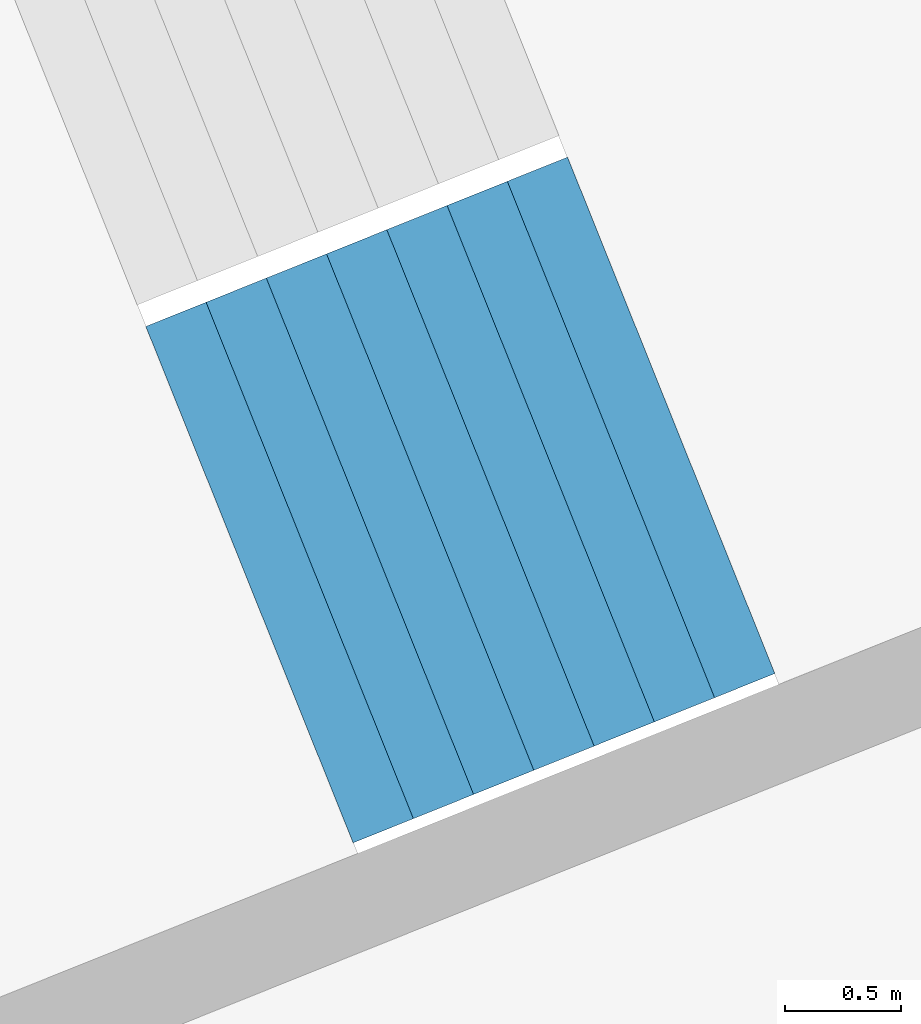
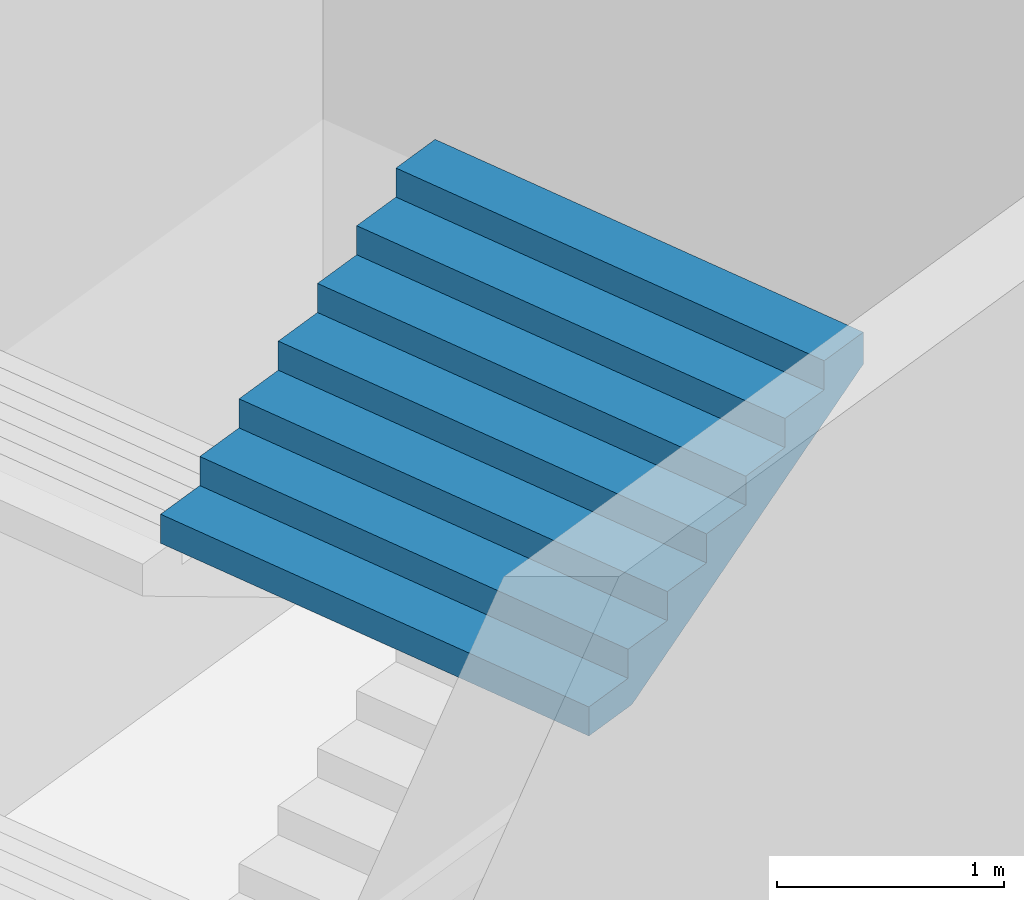
# One storey, part 20 of 73: 1 stair flight, 1 element without a shape of its own.
"""IFC4 building model written with IfcOpenShell, lengths in metres."""

from ifc_helpers import new_model, si_unit, direction, frame, origin, place, context, subcontext, project, spatial, triangles, material, type_object, element, aggregate, save


model = new_model("IFC4")

# Units and contexts
model_context = context("Model", 3, precision=1e-05, world=origin(), true_north=direction((0.0, 1.0)))
body_context = subcontext(model_context, "Body", "Model", "MODEL_VIEW")
ifc_project = project(units=[si_unit("LENGTHUNIT", "METRE"), si_unit("AREAUNIT", "SQUARE_METRE"), si_unit("VOLUMEUNIT", "CUBIC_METRE"), si_unit("PLANEANGLEUNIT", "RADIAN"), si_unit("MASSUNIT", "GRAM", prefix="KILO")], contexts=[model_context])

# Site, building, storey
site_placement = place(None, origin())
site = spatial("IfcSite", under=ifc_project, at=site_placement, CompositionType="ELEMENT")
building_placement = place(site_placement, origin())
building = spatial("IfcBuilding", under=site, at=building_placement, Name="Lantaw Convention Tower", CompositionType="ELEMENT")
storey_placement = place(building_placement, frame((0.0, 0.0, 22.0)))
storey = spatial("IfcBuildingStorey", under=building, at=storey_placement, Name="L03", CompositionType="ELEMENT", Elevation=22.0)

# Stair, stair flight
ifc_material = material(Name="Concrete C35/45", Category="concrete")
stair_type = type_object("IfcStairType", Name="Exit stair 2400 riser 156.25 in 4 flights", PredefinedType="HALF_TURN_STAIR", material=ifc_material)
stair_placement = place(storey_placement, origin())
stair = element("IfcStair", 1, at=stair_placement, inside=storey, type_object=stair_type, Name="Podium exit stair P11 L03", PredefinedType="HALF_TURN_STAIR")
stair_flight_type = type_object("IfcStairFlightType", Name="Stair flight 2400 riser 156.25", PredefinedType="STRAIGHT", material=ifc_material)
stair_flight_placement = place(storey_placement, frame((-30.9052734375, -13.753662109375, 3.75), z_axis=(0.0, 0.0, 1.0), x_axis=(0.928015168305, 0.372542410198, 0.0)))
stair_flight = element("IfcStairFlight", 2, at=stair_flight_placement, type_object=stair_flight_type, Name="P11 flight 4", NumberOfRisers=8, NumberOfTreads=7, PredefinedType="STRAIGHT", RiserHeight=0.15625, TreadLength=0.28, context=body_context, shape_type="Tessellation", body=[
    triangles([(0.0, 1.199951171875, 0.0), (0.0, 1.199951171875, 0.15625), (0.28, 1.199951171875, 0.0), (0.28, 1.199951171875, 0.15625), (0.28, 1.199951171875, 0.3125), (0.3076200632058044, 1.199951171875, 0.0), (0.3076200632058044, 1.199951171875, 0.3125), (0.56, 1.199951171875, 0.14083701830033238), (0.56, 1.199951171875, 0.3125), (0.56, 1.199951171875, 0.46875), (0.8400000000000001, 1.199951171875, 0.29708701830033235), (0.8400000000000001, 1.199951171875, 0.46875), (0.8400000000000001, 1.199951171875, 0.625), (1.12, 1.199951171875, 0.45333701830033235), (1.12, 1.199951171875, 0.625), (1.12, 1.199951171875, 0.78125), (1.4000000000000001, 1.199951171875, 0.6095870183003324), (1.4000000000000001, 1.199951171875, 0.78125), (1.4000000000000001, 1.199951171875, 0.9375), (1.6800000000000002, 1.199951171875, 0.7658370183003324), (1.6800000000000002, 1.199951171875, 0.9375), (1.6800000000000002, 1.199951171875, 1.09375), (1.9600000000000002, 1.199951171875, 0.9220870183003324), (1.9600000000000002, 1.199951171875, 1.09375), (0.0, -1.199951171875, 0.0), (0.0, -1.199951171875, 0.15625), (0.28, -1.199951171875, 0.0), (0.28, -1.199951171875, 0.15625), (0.28, -1.199951171875, 0.3125), (0.3076200632058044, -1.199951171875, 0.0), (0.3076200632058044, -1.199951171875, 0.3125), (0.56, -1.199951171875, 0.14083701830033238), (0.56, -1.199951171875, 0.3125), (0.56, -1.199951171875, 0.46875), (0.8400000000000001, -1.199951171875, 0.29708701830033235), (0.8400000000000001, -1.199951171875, 0.46875), (0.8400000000000001, -1.199951171875, 0.625), (1.12, -1.199951171875, 0.45333701830033235), (1.12, -1.199951171875, 0.625), (1.12, -1.199951171875, 0.78125), (1.4000000000000001, -1.199951171875, 0.6095870183003324), (1.4000000000000001, -1.199951171875, 0.78125), (1.4000000000000001, -1.199951171875, 0.9375), (1.6800000000000002, -1.199951171875, 0.7658370183003324), (1.6800000000000002, -1.199951171875, 0.9375), (1.6800000000000002, -1.199951171875, 1.09375), (1.9600000000000002, -1.199951171875, 0.9220870183003324), (1.9600000000000002, -1.199951171875, 1.09375), (0.0, 0.239990234375, 0.15625), (0.0, 0.239990234375, 0.0), (0.0, 0.1919921875, 0.15625), (0.0, 0.1919921875, 0.0), (0.0, 0.143994140625, 0.15625), (0.0, 0.143994140625, 0.0), (0.0, 0.09599609375, 0.15625), (0.0, 0.09599609375, 0.0), (0.0, 0.047998046875, 0.15625), (0.0, 0.047998046875, 0.0), (0.0, 0.0, 0.15625), (0.0, 0.0, 0.0), (0.0, -0.047998046875, 0.15625), (0.0, -0.047998046875, 0.0), (0.0, -0.09599609375, 0.15625), (0.0, -0.09599609375, 0.0), (0.0, -0.143994140625, 0.15625), (0.0, -0.143994140625, 0.0), (0.0, -0.1919921875, 0.15625), (0.0, -0.1919921875, 0.0), (0.0, -0.239990234375, 0.15625), (0.0, -0.239990234375, 0.0), (0.28, 0.239990234375, 0.3125), (0.28, 0.239990234375, 0.15625), (0.28, 0.1919921875, 0.3125), (0.28, 0.1919921875, 0.15625), (0.28, 0.143994140625, 0.3125), (0.28, 0.143994140625, 0.15625), (0.28, 0.09599609375, 0.3125), (0.28, 0.09599609375, 0.15625), (0.28, 0.047998046875, 0.3125), (0.28, 0.047998046875, 0.15625), (0.28, 0.0, 0.3125), (0.28, 0.0, 0.15625), (0.28, -0.047998046875, 0.3125), (0.28, -0.047998046875, 0.15625), (0.28, -0.09599609375, 0.3125), (0.28, -0.09599609375, 0.15625), (0.28, -0.143994140625, 0.3125), (0.28, -0.143994140625, 0.15625), (0.28, -0.1919921875, 0.3125), (0.28, -0.1919921875, 0.15625), (0.28, -0.239990234375, 0.3125), (0.28, -0.239990234375, 0.15625), (0.56, 0.239990234375, 0.46875), (0.56, 0.239990234375, 0.3125), (0.56, 0.1919921875, 0.46875), (0.56, 0.1919921875, 0.3125), (0.56, 0.143994140625, 0.46875), (0.56, 0.143994140625, 0.3125), (0.56, 0.09599609375, 0.46875), (0.56, 0.09599609375, 0.3125), (0.56, 0.047998046875, 0.46875), (0.56, 0.047998046875, 0.3125), (0.56, 0.0, 0.46875), (0.56, 0.0, 0.3125), (0.56, -0.047998046875, 0.46875), (0.56, -0.047998046875, 0.3125), (0.56, -0.09599609375, 0.46875), (0.56, -0.09599609375, 0.3125), (0.56, -0.143994140625, 0.46875), (0.56, -0.143994140625, 0.3125), (0.56, -0.1919921875, 0.46875), (0.56, -0.1919921875, 0.3125), (0.56, -0.239990234375, 0.46875), (0.56, -0.239990234375, 0.3125), (0.8400000000000001, 0.239990234375, 0.625), (0.8400000000000001, 0.239990234375, 0.46875), (0.8400000000000001, 0.1919921875, 0.625), (0.8400000000000001, 0.1919921875, 0.46875), (0.8400000000000001, 0.143994140625, 0.625), (0.8400000000000001, 0.143994140625, 0.46875), (0.8400000000000001, 0.09599609375, 0.625), (0.8400000000000001, 0.09599609375, 0.46875), (0.8400000000000001, 0.047998046875, 0.625), (0.8400000000000001, 0.047998046875, 0.46875), (0.8400000000000001, 0.0, 0.625), (0.8400000000000001, 0.0, 0.46875), (0.8400000000000001, -0.047998046875, 0.625), (0.8400000000000001, -0.047998046875, 0.46875), (0.8400000000000001, -0.09599609375, 0.625), (0.8400000000000001, -0.09599609375, 0.46875), (0.8400000000000001, -0.143994140625, 0.625), (0.8400000000000001, -0.143994140625, 0.46875), (0.8400000000000001, -0.1919921875, 0.625), (0.8400000000000001, -0.1919921875, 0.46875), (0.8400000000000001, -0.239990234375, 0.625), (0.8400000000000001, -0.239990234375, 0.46875), (1.12, 0.239990234375, 0.78125), (1.12, 0.239990234375, 0.625), (1.12, 0.1919921875, 0.78125), (1.12, 0.1919921875, 0.625), (1.12, 0.143994140625, 0.78125), (1.12, 0.143994140625, 0.625), (1.12, 0.09599609375, 0.78125), (1.12, 0.09599609375, 0.625), (1.12, 0.047998046875, 0.78125), (1.12, 0.047998046875, 0.625), (1.12, 0.0, 0.78125), (1.12, 0.0, 0.625), (1.12, -0.047998046875, 0.78125), (1.12, -0.047998046875, 0.625), (1.12, -0.09599609375, 0.78125), (1.12, -0.09599609375, 0.625), (1.12, -0.143994140625, 0.78125), (1.12, -0.143994140625, 0.625), (1.12, -0.1919921875, 0.78125), (1.12, -0.1919921875, 0.625), (1.12, -0.239990234375, 0.78125), (1.12, -0.239990234375, 0.625), (1.4000000000000001, 0.239990234375, 0.9375), (1.4000000000000001, 0.239990234375, 0.78125), (1.4000000000000001, 0.1919921875, 0.9375), (1.4000000000000001, 0.1919921875, 0.78125), (1.4000000000000001, 0.143994140625, 0.9375), (1.4000000000000001, 0.143994140625, 0.78125), (1.4000000000000001, 0.09599609375, 0.9375), (1.4000000000000001, 0.09599609375, 0.78125), (1.4000000000000001, 0.047998046875, 0.9375), (1.4000000000000001, 0.047998046875, 0.78125), (1.4000000000000001, 0.0, 0.9375), (1.4000000000000001, 0.0, 0.78125), (1.4000000000000001, -0.047998046875, 0.9375), (1.4000000000000001, -0.047998046875, 0.78125), (1.4000000000000001, -0.09599609375, 0.9375), (1.4000000000000001, -0.09599609375, 0.78125), (1.4000000000000001, -0.143994140625, 0.9375), (1.4000000000000001, -0.143994140625, 0.78125), (1.4000000000000001, -0.1919921875, 0.9375), (1.4000000000000001, -0.1919921875, 0.78125), (1.4000000000000001, -0.239990234375, 0.9375), (1.4000000000000001, -0.239990234375, 0.78125), (1.6800000000000002, 0.239990234375, 1.09375), (1.6800000000000002, 0.239990234375, 0.9375), (1.6800000000000002, 0.1919921875, 1.09375), (1.6800000000000002, 0.1919921875, 0.9375), (1.6800000000000002, 0.143994140625, 1.09375), (1.6800000000000002, 0.143994140625, 0.9375), (1.6800000000000002, 0.09599609375, 1.09375), (1.6800000000000002, 0.09599609375, 0.9375), (1.6800000000000002, 0.047998046875, 1.09375), (1.6800000000000002, 0.047998046875, 0.9375), (1.6800000000000002, 0.0, 1.09375), (1.6800000000000002, 0.0, 0.9375), (1.6800000000000002, -0.047998046875, 1.09375), (1.6800000000000002, -0.047998046875, 0.9375), (1.6800000000000002, -0.09599609375, 1.09375), (1.6800000000000002, -0.09599609375, 0.9375), (1.6800000000000002, -0.143994140625, 1.09375), (1.6800000000000002, -0.143994140625, 0.9375), (1.6800000000000002, -0.1919921875, 1.09375), (1.6800000000000002, -0.1919921875, 0.9375), (1.6800000000000002, -0.239990234375, 1.09375), (1.6800000000000002, -0.239990234375, 0.9375), (0.3076200632058044, 0.239990234375, 0.3125), (0.3076200632058044, 0.1919921875, 0.3125), (0.3076200632058044, 0.143994140625, 0.3125), (0.3076200632058044, 0.09599609375, 0.3125), (0.3076200632058044, 0.047998046875, 0.3125), (0.3076200632058044, 0.0, 0.3125), (0.3076200632058044, -0.047998046875, 0.3125), (0.3076200632058044, -0.09599609375, 0.3125), (0.3076200632058044, -0.143994140625, 0.3125), (0.3076200632058044, -0.1919921875, 0.3125), (0.3076200632058044, -0.239990234375, 0.3125), (1.9600000000000002, 0.239990234375, 1.09375), (1.9600000000000002, 0.1919921875, 1.09375), (1.9600000000000002, 0.143994140625, 1.09375), (1.9600000000000002, 0.09599609375, 1.09375), (1.9600000000000002, 0.047998046875, 1.09375), (1.9600000000000002, 0.0, 1.09375), (1.9600000000000002, -0.047998046875, 1.09375), (1.9600000000000002, -0.09599609375, 1.09375), (1.9600000000000002, -0.143994140625, 1.09375), (1.9600000000000002, -0.1919921875, 1.09375), (1.9600000000000002, -0.239990234375, 1.09375), (1.9600000000000002, 0.239990234375, 0.9220870183003324), (1.9600000000000002, 0.1919921875, 0.9220870183003324), (1.9600000000000002, 0.143994140625, 0.9220870183003324), (1.9600000000000002, 0.09599609375, 0.9220870183003324), (1.9600000000000002, 0.047998046875, 0.9220870183003324), (1.9600000000000002, 0.0, 0.9220870183003324), (1.9600000000000002, -0.047998046875, 0.9220870183003324), (1.9600000000000002, -0.09599609375, 0.9220870183003324), (1.9600000000000002, -0.143994140625, 0.9220870183003324), (1.9600000000000002, -0.1919921875, 0.9220870183003324), (1.9600000000000002, -0.239990234375, 0.9220870183003324), (1.6800000000000002, 0.239990234375, 0.7658370183003324), (1.6800000000000002, 0.1919921875, 0.7658370183003324), (1.6800000000000002, 0.143994140625, 0.7658370183003324), (1.6800000000000002, 0.09599609375, 0.7658370183003324), (1.6800000000000002, 0.047998046875, 0.7658370183003324), (1.6800000000000002, 0.0, 0.7658370183003324), (1.6800000000000002, -0.047998046875, 0.7658370183003324), (1.6800000000000002, -0.09599609375, 0.7658370183003324), (1.6800000000000002, -0.143994140625, 0.7658370183003324), (1.6800000000000002, -0.1919921875, 0.7658370183003324), (1.6800000000000002, -0.239990234375, 0.7658370183003324), (1.4000000000000001, 0.239990234375, 0.6095870183003324), (1.4000000000000001, 0.1919921875, 0.6095870183003324), (1.4000000000000001, 0.143994140625, 0.6095870183003324), (1.4000000000000001, 0.09599609375, 0.6095870183003324), (1.4000000000000001, 0.047998046875, 0.6095870183003324), (1.4000000000000001, 0.0, 0.6095870183003324), (1.4000000000000001, -0.047998046875, 0.6095870183003324), (1.4000000000000001, -0.09599609375, 0.6095870183003324), (1.4000000000000001, -0.143994140625, 0.6095870183003324), (1.4000000000000001, -0.1919921875, 0.6095870183003324), (1.4000000000000001, -0.239990234375, 0.6095870183003324), (1.12, 0.239990234375, 0.45333701830033235), (1.12, 0.1919921875, 0.45333701830033235), (1.12, 0.143994140625, 0.45333701830033235), (1.12, 0.09599609375, 0.45333701830033235), (1.12, 0.047998046875, 0.45333701830033235), (1.12, 0.0, 0.45333701830033235), (1.12, -0.047998046875, 0.45333701830033235), (1.12, -0.09599609375, 0.45333701830033235), (1.12, -0.143994140625, 0.45333701830033235), (1.12, -0.1919921875, 0.45333701830033235), (1.12, -0.239990234375, 0.45333701830033235), (0.8400000000000001, 0.239990234375, 0.29708701830033235), (0.8400000000000001, 0.1919921875, 0.29708701830033235), (0.8400000000000001, 0.143994140625, 0.29708701830033235), (0.8400000000000001, 0.09599609375, 0.29708701830033235), (0.8400000000000001, 0.047998046875, 0.29708701830033235), (0.8400000000000001, 0.0, 0.29708701830033235), (0.8400000000000001, -0.047998046875, 0.29708701830033235), (0.8400000000000001, -0.09599609375, 0.29708701830033235), (0.8400000000000001, -0.143994140625, 0.29708701830033235), (0.8400000000000001, -0.1919921875, 0.29708701830033235), (0.8400000000000001, -0.239990234375, 0.29708701830033235), (0.56, 0.239990234375, 0.14083701830033238), (0.56, 0.1919921875, 0.14083701830033238), (0.56, 0.143994140625, 0.14083701830033238), (0.56, 0.09599609375, 0.14083701830033238), (0.56, 0.047998046875, 0.14083701830033238), (0.56, 0.0, 0.14083701830033238), (0.56, -0.047998046875, 0.14083701830033238), (0.56, -0.09599609375, 0.14083701830033238), (0.56, -0.143994140625, 0.14083701830033238), (0.56, -0.1919921875, 0.14083701830033238), (0.56, -0.239990234375, 0.14083701830033238), (0.3076200632058044, 0.239990234375, 0.0), (0.3076200632058044, 0.1919921875, 0.0), (0.3076200632058044, 0.143994140625, 0.0), (0.3076200632058044, 0.09599609375, 0.0), (0.3076200632058044, 0.047998046875, 0.0), (0.3076200632058044, 0.0, 0.0), (0.3076200632058044, -0.047998046875, 0.0), (0.3076200632058044, -0.09599609375, 0.0), (0.3076200632058044, -0.143994140625, 0.0), (0.3076200632058044, -0.1919921875, 0.0), (0.3076200632058044, -0.239990234375, 0.0), (0.28, 0.239990234375, 0.0), (0.28, 0.1919921875, 0.0), (0.28, 0.143994140625, 0.0), (0.28, 0.09599609375, 0.0), (0.28, 0.047998046875, 0.0), (0.28, 0.0, 0.0), (0.28, -0.047998046875, 0.0), (0.28, -0.09599609375, 0.0), (0.28, -0.143994140625, 0.0), (0.28, -0.1919921875, 0.0), (0.28, -0.239990234375, 0.0)], [[1, 4, 3], [1, 2, 4], [3, 4, 6], [4, 7, 6], [4, 5, 7], [6, 9, 8], [6, 7, 9], [8, 9, 11], [9, 12, 11], [9, 10, 12], [11, 12, 14], [12, 15, 14], [12, 13, 15], [14, 15, 17], [15, 18, 17], [15, 16, 18], [17, 18, 20], [18, 21, 20], [18, 19, 21], [20, 21, 23], [21, 24, 23], [21, 22, 24], [25, 27, 28], [25, 28, 26], [27, 30, 28], [28, 30, 31], [28, 31, 29], [30, 32, 33], [30, 33, 31], [32, 35, 33], [33, 35, 36], [33, 36, 34], [35, 38, 36], [36, 38, 39], [36, 39, 37], [38, 41, 39], [39, 41, 42], [39, 42, 40], [41, 44, 42], [42, 44, 45], [42, 45, 43], [44, 47, 45], [45, 47, 48], [45, 48, 46], [1, 49, 2], [1, 50, 49], [50, 51, 49], [50, 52, 51], [52, 53, 51], [52, 54, 53], [54, 55, 53], [54, 56, 55], [56, 57, 55], [56, 58, 57], [58, 59, 57], [58, 60, 59], [60, 61, 59], [60, 62, 61], [62, 63, 61], [62, 64, 63], [64, 65, 63], [64, 66, 65], [66, 67, 65], [66, 68, 67], [68, 69, 67], [68, 70, 69], [70, 26, 69], [70, 25, 26], [4, 71, 5], [4, 72, 71], [72, 73, 71], [72, 74, 73], [74, 75, 73], [74, 76, 75], [76, 77, 75], [76, 78, 77], [78, 79, 77], [78, 80, 79], [80, 81, 79], [80, 82, 81], [82, 83, 81], [82, 84, 83], [84, 85, 83], [84, 86, 85], [86, 87, 85], [86, 88, 87], [88, 89, 87], [88, 90, 89], [90, 91, 89], [90, 92, 91], [92, 29, 91], [92, 28, 29], [9, 93, 10], [9, 94, 93], [94, 95, 93], [94, 96, 95], [96, 97, 95], [96, 98, 97], [98, 99, 97], [98, 100, 99], [100, 101, 99], [100, 102, 101], [102, 103, 101], [102, 104, 103], [104, 105, 103], [104, 106, 105], [106, 107, 105], [106, 108, 107], [108, 109, 107], [108, 110, 109], [110, 111, 109], [110, 112, 111], [112, 113, 111], [112, 114, 113], [114, 34, 113], [114, 33, 34], [12, 115, 13], [12, 116, 115], [116, 117, 115], [116, 118, 117], [118, 119, 117], [118, 120, 119], [120, 121, 119], [120, 122, 121], [122, 123, 121], [122, 124, 123], [124, 125, 123], [124, 126, 125], [126, 127, 125], [126, 128, 127], [128, 129, 127], [128, 130, 129], [130, 131, 129], [130, 132, 131], [132, 133, 131], [132, 134, 133], [134, 135, 133], [134, 136, 135], [136, 37, 135], [136, 36, 37], [15, 137, 16], [15, 138, 137], [138, 139, 137], [138, 140, 139], [140, 141, 139], [140, 142, 141], [142, 143, 141], [142, 144, 143], [144, 145, 143], [144, 146, 145], [146, 147, 145], [146, 148, 147], [148, 149, 147], [148, 150, 149], [150, 151, 149], [150, 152, 151], [152, 153, 151], [152, 154, 153], [154, 155, 153], [154, 156, 155], [156, 157, 155], [156, 158, 157], [158, 40, 157], [158, 39, 40], [18, 159, 19], [18, 160, 159], [160, 161, 159], [160, 162, 161], [162, 163, 161], [162, 164, 163], [164, 165, 163], [164, 166, 165], [166, 167, 165], [166, 168, 167], [168, 169, 167], [168, 170, 169], [170, 171, 169], [170, 172, 171], [172, 173, 171], [172, 174, 173], [174, 175, 173], [174, 176, 175], [176, 177, 175], [176, 178, 177], [178, 179, 177], [178, 180, 179], [180, 43, 179], [180, 42, 43], [21, 181, 22], [21, 182, 181], [182, 183, 181], [182, 184, 183], [184, 185, 183], [184, 186, 185], [186, 187, 185], [186, 188, 187], [188, 189, 187], [188, 190, 189], [190, 191, 189], [190, 192, 191], [192, 193, 191], [192, 194, 193], [194, 195, 193], [194, 196, 195], [196, 197, 195], [196, 198, 197], [198, 199, 197], [198, 200, 199], [200, 201, 199], [200, 202, 201], [202, 46, 201], [202, 45, 46], [2, 72, 4], [2, 49, 72], [49, 74, 72], [49, 51, 74], [51, 76, 74], [51, 53, 76], [53, 78, 76], [53, 55, 78], [55, 80, 78], [55, 57, 80], [57, 82, 80], [57, 59, 82], [59, 84, 82], [59, 61, 84], [61, 86, 84], [61, 63, 86], [63, 88, 86], [63, 65, 88], [65, 90, 88], [65, 67, 90], [67, 92, 90], [67, 69, 92], [69, 28, 92], [69, 26, 28], [5, 203, 7], [5, 71, 203], [71, 204, 203], [71, 73, 204], [73, 205, 204], [73, 75, 205], [75, 206, 205], [75, 77, 206], [77, 207, 206], [77, 79, 207], [79, 208, 207], [79, 81, 208], [81, 209, 208], [81, 83, 209], [83, 210, 209], [83, 85, 210], [85, 211, 210], [85, 87, 211], [87, 212, 211], [87, 89, 212], [89, 213, 212], [89, 91, 213], [91, 31, 213], [91, 29, 31], [7, 94, 9], [7, 203, 94], [203, 96, 94], [203, 204, 96], [204, 98, 96], [204, 205, 98], [205, 100, 98], [205, 206, 100], [206, 102, 100], [206, 207, 102], [207, 104, 102], [207, 208, 104], [208, 106, 104], [208, 209, 106], [209, 108, 106], [209, 210, 108], [210, 110, 108], [210, 211, 110], [211, 112, 110], [211, 212, 112], [212, 114, 112], [212, 213, 114], [213, 33, 114], [213, 31, 33], [10, 116, 12], [10, 93, 116], [93, 118, 116], [93, 95, 118], [95, 120, 118], [95, 97, 120], [97, 122, 120], [97, 99, 122], [99, 124, 122], [99, 101, 124], [101, 126, 124], [101, 103, 126], [103, 128, 126], [103, 105, 128], [105, 130, 128], [105, 107, 130], [107, 132, 130], [107, 109, 132], [109, 134, 132], [109, 111, 134], [111, 136, 134], [111, 113, 136], [113, 36, 136], [113, 34, 36], [13, 138, 15], [13, 115, 138], [115, 140, 138], [115, 117, 140], [117, 142, 140], [117, 119, 142], [119, 144, 142], [119, 121, 144], [121, 146, 144], [121, 123, 146], [123, 148, 146], [123, 125, 148], [125, 150, 148], [125, 127, 150], [127, 152, 150], [127, 129, 152], [129, 154, 152], [129, 131, 154], [131, 156, 154], [131, 133, 156], [133, 158, 156], [133, 135, 158], [135, 39, 158], [135, 37, 39], [16, 160, 18], [16, 137, 160], [137, 162, 160], [137, 139, 162], [139, 164, 162], [139, 141, 164], [141, 166, 164], [141, 143, 166], [143, 168, 166], [143, 145, 168], [145, 170, 168], [145, 147, 170], [147, 172, 170], [147, 149, 172], [149, 174, 172], [149, 151, 174], [151, 176, 174], [151, 153, 176], [153, 178, 176], [153, 155, 178], [155, 180, 178], [155, 157, 180], [157, 42, 180], [157, 40, 42], [19, 182, 21], [19, 159, 182], [159, 184, 182], [159, 161, 184], [161, 186, 184], [161, 163, 186], [163, 188, 186], [163, 165, 188], [165, 190, 188], [165, 167, 190], [167, 192, 190], [167, 169, 192], [169, 194, 192], [169, 171, 194], [171, 196, 194], [171, 173, 196], [173, 198, 196], [173, 175, 198], [175, 200, 198], [175, 177, 200], [177, 202, 200], [177, 179, 202], [179, 45, 202], [179, 43, 45], [22, 214, 24], [22, 181, 214], [181, 215, 214], [181, 183, 215], [183, 216, 215], [183, 185, 216], [185, 217, 216], [185, 187, 217], [187, 218, 217], [187, 189, 218], [189, 219, 218], [189, 191, 219], [191, 220, 219], [191, 193, 220], [193, 221, 220], [193, 195, 221], [195, 222, 221], [195, 197, 222], [197, 223, 222], [197, 199, 223], [199, 224, 223], [199, 201, 224], [201, 48, 224], [201, 46, 48], [24, 225, 23], [24, 214, 225], [214, 226, 225], [214, 215, 226], [215, 227, 226], [215, 216, 227], [216, 228, 227], [216, 217, 228], [217, 229, 228], [217, 218, 229], [218, 230, 229], [218, 219, 230], [219, 231, 230], [219, 220, 231], [220, 232, 231], [220, 221, 232], [221, 233, 232], [221, 222, 233], [222, 234, 233], [222, 223, 234], [223, 235, 234], [223, 224, 235], [224, 47, 235], [224, 48, 47], [23, 236, 20], [23, 225, 236], [225, 237, 236], [225, 226, 237], [226, 238, 237], [226, 227, 238], [227, 239, 238], [227, 228, 239], [228, 240, 239], [228, 229, 240], [229, 241, 240], [229, 230, 241], [230, 242, 241], [230, 231, 242], [231, 243, 242], [231, 232, 243], [232, 244, 243], [232, 233, 244], [233, 245, 244], [233, 234, 245], [234, 246, 245], [234, 235, 246], [235, 44, 246], [235, 47, 44], [20, 247, 17], [20, 236, 247], [236, 248, 247], [236, 237, 248], [237, 249, 248], [237, 238, 249], [238, 250, 249], [238, 239, 250], [239, 251, 250], [239, 240, 251], [240, 252, 251], [240, 241, 252], [241, 253, 252], [241, 242, 253], [242, 254, 253], [242, 243, 254], [243, 255, 254], [243, 244, 255], [244, 256, 255], [244, 245, 256], [245, 257, 256], [245, 246, 257], [246, 41, 257], [246, 44, 41], [17, 258, 14], [17, 247, 258], [247, 259, 258], [247, 248, 259], [248, 260, 259], [248, 249, 260], [249, 261, 260], [249, 250, 261], [250, 262, 261], [250, 251, 262], [251, 263, 262], [251, 252, 263], [252, 264, 263], [252, 253, 264], [253, 265, 264], [253, 254, 265], [254, 266, 265], [254, 255, 266], [255, 267, 266], [255, 256, 267], [256, 268, 267], [256, 257, 268], [257, 38, 268], [257, 41, 38], [14, 269, 11], [14, 258, 269], [258, 270, 269], [258, 259, 270], [259, 271, 270], [259, 260, 271], [260, 272, 271], [260, 261, 272], [261, 273, 272], [261, 262, 273], [262, 274, 273], [262, 263, 274], [263, 275, 274], [263, 264, 275], [264, 276, 275], [264, 265, 276], [265, 277, 276], [265, 266, 277], [266, 278, 277], [266, 267, 278], [267, 279, 278], [267, 268, 279], [268, 35, 279], [268, 38, 35], [11, 280, 8], [11, 269, 280], [269, 281, 280], [269, 270, 281], [270, 282, 281], [270, 271, 282], [271, 283, 282], [271, 272, 283], [272, 284, 283], [272, 273, 284], [273, 285, 284], [273, 274, 285], [274, 286, 285], [274, 275, 286], [275, 287, 286], [275, 276, 287], [276, 288, 287], [276, 277, 288], [277, 289, 288], [277, 278, 289], [278, 290, 289], [278, 279, 290], [279, 32, 290], [279, 35, 32], [8, 291, 6], [8, 280, 291], [280, 292, 291], [280, 281, 292], [281, 293, 292], [281, 282, 293], [282, 294, 293], [282, 283, 294], [283, 295, 294], [283, 284, 295], [284, 296, 295], [284, 285, 296], [285, 297, 296], [285, 286, 297], [286, 298, 297], [286, 287, 298], [287, 299, 298], [287, 288, 299], [288, 300, 299], [288, 289, 300], [289, 301, 300], [289, 290, 301], [290, 30, 301], [290, 32, 30], [6, 302, 3], [6, 291, 302], [291, 303, 302], [291, 292, 303], [292, 304, 303], [292, 293, 304], [293, 305, 304], [293, 294, 305], [294, 306, 305], [294, 295, 306], [295, 307, 306], [295, 296, 307], [296, 308, 307], [296, 297, 308], [297, 309, 308], [297, 298, 309], [298, 310, 309], [298, 299, 310], [299, 311, 310], [299, 300, 311], [300, 312, 311], [300, 301, 312], [301, 27, 312], [301, 30, 27], [3, 50, 1], [3, 302, 50], [302, 52, 50], [302, 303, 52], [303, 54, 52], [303, 304, 54], [304, 56, 54], [304, 305, 56], [305, 58, 56], [305, 306, 58], [306, 60, 58], [306, 307, 60], [307, 62, 60], [307, 308, 62], [308, 64, 62], [308, 309, 64], [309, 66, 64], [309, 310, 66], [310, 68, 66], [310, 311, 68], [311, 70, 68], [311, 312, 70], [312, 25, 70], [312, 27, 25]], closed=True),
])
aggregate(stair, [stair_flight])

save(model, "model.ifc")
